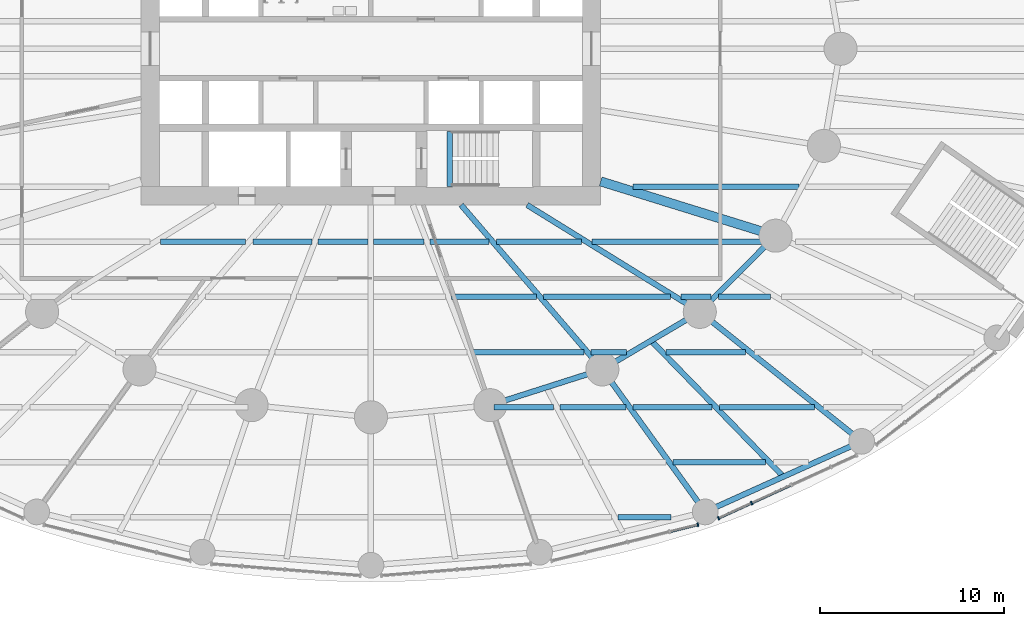
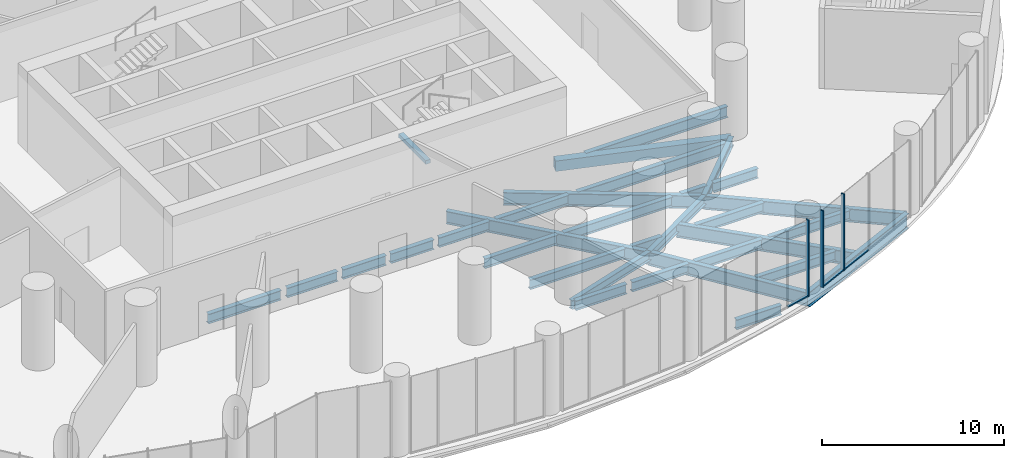
# One storey, part 5 of 21: 32 beams, 6 members, 2 elements without a shape of their own.
"""IFC4 building model written with IfcOpenShell, lengths in metres."""

from ifc_helpers import new_model, si_unit, direction, frame, origin, origin_2d, place, context, subcontext, project, spatial, rectangle, hollow_rectangle, i_section, extrude, material, material_profile, profile_set, type_object, element, aggregate, save


model = new_model("IFC4")

# Units and contexts
model_context = context("Model", 3, precision=1e-05, world=origin(), true_north=direction((0.0, 1.0)))
body_context = subcontext(model_context, "Body", "Model", "MODEL_VIEW")
ifc_project = project(units=[si_unit("LENGTHUNIT", "METRE"), si_unit("AREAUNIT", "SQUARE_METRE"), si_unit("VOLUMEUNIT", "CUBIC_METRE"), si_unit("PLANEANGLEUNIT", "RADIAN"), si_unit("MASSUNIT", "GRAM", prefix="KILO")], contexts=[model_context])

# Site, building, storey
site_placement = place(None, origin())
site = spatial("IfcSite", under=ifc_project, at=site_placement, CompositionType="ELEMENT")
building_placement = place(site_placement, origin())
building = spatial("IfcBuilding", under=site, at=building_placement, Name="Hankou Lantern Tower", CompositionType="ELEMENT")
storey_placement = place(building_placement, frame((0.0, 0.0, 13.800048828125)))
storey = spatial("IfcBuildingStorey", under=building, at=storey_placement, Name="L02", CompositionType="ELEMENT", Elevation=13.800048828125)

# Beams
ifc_material_1 = material(Name="Steel Q355B", Category="steel")
ifc_material_profile_1 = material_profile(ifc_material_1, i_section(OverallWidth=0.300048828125, OverallDepth=0.587890625, WebThickness=0.011962890625, FlangeThickness=0.02001953125, FilletRadius=0.01806640625, at=origin_2d()), Name="HM588x300x12x20")
ifc_profile_set_1 = profile_set([ifc_material_profile_1], Name="Steel Q355B")
beam_type_1 = type_object("IfcBeamType", Name="EB16 RING BEAM HM588x300x12x20", PredefinedType="SPANDREL", material=ifc_profile_set_1)
beam_1_placement = place(storey_placement, frame((6.494873046875, -19.391357421875, -0.5439453125), z_axis=(0.952690479428, 0.303942182671, 0.0), x_axis=(-0.303942182671, 0.952690479428, 0.0)))
element("IfcBeam", 1, at=beam_1_placement, inside=storey, type_object=beam_type_1, Name="Ring beam R20-R21 L02", PredefinedType="SPANDREL", context=body_context, shape_type="SweptSolid", body=[
    extrude(i_section(OverallWidth=0.300048828125, OverallDepth=0.587890625, WebThickness=0.011962890625, FlangeThickness=0.02001953125, FilletRadius=0.01806640625, at=origin_2d()), origin(), (0.0, 0.0, 1.0), 6.398681640625),
])
beam_2_placement = place(storey_placement, frame((12.5908203125, -17.446533203125, -0.5439453125), z_axis=(0.860881533543, 0.508805449268, 0.0), x_axis=(-0.508805449268, 0.860881533543, 0.0)))
element("IfcBeam", 2, at=beam_2_placement, inside=storey, type_object=beam_type_1, Name="Ring beam R21-R22 L02", PredefinedType="SPANDREL", context=body_context, shape_type="SweptSolid", body=[
    extrude(i_section(OverallWidth=0.300048828125, OverallDepth=0.587890625, WebThickness=0.011962890625, FlangeThickness=0.02001953125, FilletRadius=0.01806640625, at=origin_2d()), origin(), (0.0, 0.0, 1.0), 6.15771484375),
])
beam_3_placement = place(storey_placement, frame((17.891845703125, -14.3134765625, -0.5439453125), z_axis=(0.705727798394, 0.708483079949, 0.0), x_axis=(-0.708483079949, 0.705727798394, 0.0)))
element("IfcBeam", 3, at=beam_3_placement, inside=storey, type_object=beam_type_1, Name="Ring beam R22-R23 L02", PredefinedType="SPANDREL", context=body_context, shape_type="SweptSolid", body=[
    extrude(i_section(OverallWidth=0.300048828125, OverallDepth=0.587890625, WebThickness=0.011962890625, FlangeThickness=0.02001953125, FilletRadius=0.01806640625, at=origin_2d()), origin(), (0.0, 0.0, 1.0), 5.84814453125),
])
ifc_material_2 = material(Name="Concrete C40", Category="concrete")
ifc_material_profile_2 = material_profile(ifc_material_2, rectangle(XDim=0.300048828125, YDim=0.25, at=origin_2d()), Name="RC 300x250")
ifc_profile_set_2 = profile_set([ifc_material_profile_2], Name="Concrete C40")
beam_type_2 = type_object("IfcBeamType", Name="LB1 STAIR LANDING BEAM RC 300x250", PredefinedType="BEAM", material=ifc_profile_set_2)
beam_4_placement = place(storey_placement, frame((4.300048828125, -4.5, 2.574951171875), z_axis=(0.0, -1.0, 0.0), x_axis=(1.0, 0.0, 0.0)))
element("IfcBeam", 4, at=beam_4_placement, inside=storey, type_object=beam_type_2, Name="Stair STB landing beam L02", PredefinedType="BEAM", context=body_context, shape_type="SweptSolid", body=[
    extrude(rectangle(XDim=0.300048828125, YDim=0.25, at=origin_2d()), origin(), (0.0, 0.0, 1.0), 3.0),
])

# Curtain wall, member
ifc_material_3 = material(Name="Glass, dark grey tinted laminated", Category="glass")
curtain_wall_type = type_object("IfcCurtainWallType", Name="CWP PODIUM CURTAIN WALL", PredefinedType="USERDEFINED", material=ifc_material_3)
curtain_wall_1_placement = place(storey_placement, origin())
curtain_wall_1 = element("IfcCurtainWall", 5, at=curtain_wall_1_placement, inside=storey, type_object=curtain_wall_type, Name="CWP L02 PC16", ObjectType="PODIUM GLAZING", PredefinedType="USERDEFINED")
ifc_material_4 = material(Name="Aluminium, black anodised", Category="aluminium")
ifc_material_profile_3 = material_profile(ifc_material_4, rectangle(XDim=0.080078125, YDim=0.199951171875, at=origin_2d()), Name="MU2 80X200")
ifc_profile_set_3 = profile_set([ifc_material_profile_3], Name="Aluminium, black anodised")
member_type_1 = type_object("IfcMemberType", Name="MU2 PODIUM MULLION 80X200", PredefinedType="MULLION", material=ifc_profile_set_3)
member_1_placement = place(storey_placement, frame((17.785888671875, -25.892333984375, 0.0), z_axis=(0.0, 0.0, 1.0), x_axis=(0.970960955091, 0.239238006364, 0.0)))
member_1 = element("IfcMember", 6, at=member_1_placement, type_object=member_type_1, Name="CWP mullion 5", PredefinedType="MULLION", context=body_context, shape_type="SweptSolid", body=[
    extrude(rectangle(XDim=0.080078125, YDim=0.199951171875, at=origin_2d()), origin(), (0.0, 0.0, 1.0), 5.14990234375),
])

# Curtain wall, members
curtain_wall_2_placement = place(storey_placement, origin())
curtain_wall_2 = element("IfcCurtainWall", 7, at=curtain_wall_2_placement, inside=storey, type_object=curtain_wall_type, Name="CWP L02 PC17", ObjectType="PODIUM GLAZING", PredefinedType="USERDEFINED")
member_2_placement = place(storey_placement, frame((18.913818359375, -25.537841796875, 0.0), z_axis=(0.0, 0.0, 1.0), x_axis=(0.909669790944, 0.41533224224, 0.0)))
member_2 = element("IfcMember", 8, at=member_2_placement, type_object=member_type_1, Name="CWP mullion 1", PredefinedType="MULLION", context=body_context, shape_type="SweptSolid", body=[
    extrude(rectangle(XDim=0.080078125, YDim=0.199951171875, at=origin_2d()), origin(), (0.0, 0.0, 1.0), 5.14990234375),
])
member_3_placement = place(storey_placement, frame((20.711669921875, -24.717041015625, 0.0), z_axis=(0.0, 0.0, 1.0), x_axis=(0.909669790944, 0.41533224224, 0.0)))
member_3 = element("IfcMember", 9, at=member_3_placement, type_object=member_type_1, Name="CWP mullion 2", PredefinedType="MULLION", context=body_context, shape_type="SweptSolid", body=[
    extrude(rectangle(XDim=0.080078125, YDim=0.199951171875, at=origin_2d()), origin(), (0.0, 0.0, 1.0), 5.14990234375),
])

# Beams
ifc_material_5 = material(Name="Steel Q355B", Category="steel")
ifc_material_profile_4 = material_profile(ifc_material_5, i_section(OverallWidth=0.300048828125, OverallDepth=0.89990234375, WebThickness=0.01611328125, FlangeThickness=0.028076171875, FilletRadius=0.01806640625, at=origin_2d()), Name="HN900x300x16x28")
ifc_profile_set_4 = profile_set([ifc_material_profile_4], Name="Steel Q355B")
beam_type_3 = type_object("IfcBeamType", Name="PB13 PODIUM RADIAL BEAM HN900x300x16x28", PredefinedType="BEAM", material=ifc_profile_set_4)
beam_5_placement = place(storey_placement, frame((12.5908203125, -17.446533203125, -0.699951171875), z_axis=(0.585207097055, -0.810883871807, 0.0), x_axis=(0.810883871807, 0.585207097055, 0.0)))
element("IfcBeam", 10, at=beam_5_placement, inside=storey, type_object=beam_type_3, Name="Podium radial beam R21 L02", PredefinedType="BEAM", context=body_context, shape_type="SweptSolid", body=[
    extrude(i_section(OverallWidth=0.300048828125, OverallDepth=0.89990234375, WebThickness=0.01611328125, FlangeThickness=0.028076171875, FilletRadius=0.01806640625, at=origin_2d()), origin(), (0.0, 0.0, 1.0), 9.56103515625),
])
beam_6_placement = place(storey_placement, frame((17.891845703125, -14.3134765625, -0.699951171875), z_axis=(0.780875142676, -0.624687130931, 0.0), x_axis=(0.624687130931, 0.780875142676, 0.0)))
element("IfcBeam", 11, at=beam_6_placement, inside=storey, type_object=beam_type_3, Name="Podium radial beam R22 L02", PredefinedType="BEAM", context=body_context, shape_type="SweptSolid", body=[
    extrude(i_section(OverallWidth=0.300048828125, OverallDepth=0.89990234375, WebThickness=0.01611328125, FlangeThickness=0.028076171875, FilletRadius=0.01806640625, at=origin_2d()), origin(), (0.0, 0.0, 1.0), 11.28271484375),
])
ifc_material_6 = material(Name="Steel Q355B", Category="steel")
ifc_material_profile_5 = material_profile(ifc_material_6, i_section(OverallWidth=0.300048828125, OverallDepth=1.0, WebThickness=0.01904296875, FlangeThickness=0.035888671875, FilletRadius=0.01806640625, at=origin_2d()), Name="HN1000x300x19x36")
ifc_profile_set_5 = profile_set([ifc_material_profile_5], Name="Steel Q355B")
beam_type_4 = type_object("IfcBeamType", Name="PR22 PODIUM RING BEAM HN1000x300x19x36", PredefinedType="BEAM", material=ifc_profile_set_5)
beam_7_placement = place(storey_placement, frame((18.18603515625, -25.199462890625, -0.75), z_axis=(0.911695429723, 0.410866697874, 0.0), x_axis=(-0.410866697874, 0.911695429723, 0.0)))
element("IfcBeam", 12, at=beam_7_placement, inside=storey, type_object=beam_type_4, Name="Podium ring beam R21-R22 L02", PredefinedType="BEAM", context=body_context, shape_type="SweptSolid", body=[
    extrude(i_section(OverallWidth=0.300048828125, OverallDepth=1.0, WebThickness=0.01904296875, FlangeThickness=0.035888671875, FilletRadius=0.01806640625, at=origin_2d()), origin(), (0.0, 0.0, 1.0), 9.341064453125),
])
ifc_material_7 = material(Name="Steel Q355B", Category="steel")
ifc_material_profile_6 = material_profile(ifc_material_7, i_section(OverallWidth=0.300048828125, OverallDepth=0.89990234375, WebThickness=0.01611328125, FlangeThickness=0.028076171875, FilletRadius=0.01806640625, at=origin_2d()), Name="HN900x300x16x28")
ifc_profile_set_6 = profile_set([ifc_material_profile_6], Name="Steel Q355B")
beam_type_5 = type_object("IfcBeamType", Name="PS13 PODIUM SECONDARY BEAM HN900x300x16x28", PredefinedType="JOIST", material=ifc_profile_set_6)
beam_8_placement = place(storey_placement, frame((15.2412109375, -15.8798828125, -0.699951171875), z_axis=(0.697467529957, -0.716616385981, 0.0), x_axis=(0.716616385981, 0.697467529957, 0.0)))
element("IfcBeam", 13, at=beam_8_placement, inside=storey, type_object=beam_type_5, Name="Podium secondary beam bay R21 L02", PredefinedType="JOIST", context=body_context, shape_type="SweptSolid", body=[
    extrude(i_section(OverallWidth=0.300048828125, OverallDepth=0.89990234375, WebThickness=0.01611328125, FlangeThickness=0.028076171875, FilletRadius=0.01806640625, at=origin_2d()), origin(), (0.0, 0.0, 1.0), 10.3271484375),
])
ifc_material_8 = material(Name="Steel Q355B", Category="steel")
ifc_material_profile_7 = material_profile(ifc_material_8, i_section(OverallWidth=0.300048828125, OverallDepth=0.85009765625, WebThickness=0.01611328125, FlangeThickness=0.027099609375, FilletRadius=0.01806640625, at=origin_2d()), Name="HN850x300x16x27")
ifc_profile_set_7 = profile_set([ifc_material_profile_7], Name="Steel Q355B")
beam_type_6 = type_object("IfcBeamType", Name="RB12 RADIAL BEAM HN850x300x16x27", PredefinedType="BEAM", material=ifc_profile_set_7)
beam_9_placement = place(storey_placement, frame((4.907470703125, -8.5, -0.675048828125), z_axis=(0.651519061225, -0.758632264579, 0.0), x_axis=(0.758632264579, 0.651519061225, 0.0)))
element("IfcBeam", 14, at=beam_9_placement, inside=storey, type_object=beam_type_6, Name="Radial beam R21 L02", PredefinedType="BEAM", context=body_context, shape_type="SweptSolid", body=[
    extrude(i_section(OverallWidth=0.300048828125, OverallDepth=0.85009765625, WebThickness=0.01611328125, FlangeThickness=0.027099609375, FilletRadius=0.01806640625, at=origin_2d()), origin(), (0.0, 0.0, 1.0), 11.79296875),
])
beam_10_placement = place(storey_placement, frame((8.5, -8.5, -0.675048828125), z_axis=(0.850286343288, -0.526320372414, 0.0), x_axis=(0.526320372414, 0.850286343288, 0.0)))
element("IfcBeam", 15, at=beam_10_placement, inside=storey, type_object=beam_type_6, Name="Radial beam R22 L02", PredefinedType="BEAM", context=body_context, shape_type="SweptSolid", body=[
    extrude(i_section(OverallWidth=0.300048828125, OverallDepth=0.85009765625, WebThickness=0.01611328125, FlangeThickness=0.027099609375, FilletRadius=0.01806640625, at=origin_2d()), origin(), (0.0, 0.0, 1.0), 11.04541015625),
])
ifc_material_9 = material(Name="Steel Q355B", Category="steel")
ifc_material_profile_8 = material_profile(ifc_material_9, hollow_rectangle(XDim=0.5, YDim=0.699951171875, WallThickness=0.0400390625, at=origin_2d()), Name="BOX700x500x40")
ifc_profile_set_8 = profile_set([ifc_material_profile_8], Name="Steel Q355B")
beam_type_7 = type_object("IfcBeamType", Name="RB25 RADIAL BEAM BOX700x500x40", PredefinedType="BEAM", material=ifc_profile_set_8)
beam_11_placement = place(storey_placement, frame((12.5, -7.216796875, -0.60009765625), z_axis=(0.955087327755, -0.29632447817, 0.0), x_axis=(0.29632447817, 0.955087327755, 0.0)))
element("IfcBeam", 16, at=beam_11_placement, inside=storey, type_object=beam_type_7, Name="Radial beam R23 L02", PredefinedType="BEAM", context=body_context, shape_type="SweptSolid", body=[
    extrude(hollow_rectangle(XDim=0.5, YDim=0.699951171875, WallThickness=0.0400390625, at=origin_2d()), origin(), (0.0, 0.0, 1.0), 9.966552734375),
])
ifc_material_10 = material(Name="Steel Q355B", Category="steel")
ifc_material_profile_9 = material_profile(ifc_material_10, i_section(OverallWidth=0.300048828125, OverallDepth=0.75, WebThickness=0.012939453125, FlangeThickness=0.02392578125, FilletRadius=0.01806640625, at=origin_2d()), Name="HN750x300x13x24")
ifc_profile_set_9 = profile_set([ifc_material_profile_9], Name="Steel Q355B")
beam_type_8 = type_object("IfcBeamType", Name="SB10 SECONDARY BEAM HN750x300x13x24", PredefinedType="JOIST", material=ifc_profile_set_9)
beam_12_placement = place(storey_placement, frame((12.01611328125, -10.5, -0.625), z_axis=(1.0, 0.0, 0.0), x_axis=(0.0, 1.0, 0.0)))
element("IfcBeam", 17, at=beam_12_placement, inside=storey, type_object=beam_type_8, Name="Floor joist J067 L02", PredefinedType="JOIST", context=body_context, shape_type="SweptSolid", body=[
    extrude(i_section(OverallWidth=0.300048828125, OverallDepth=0.75, WebThickness=0.012939453125, FlangeThickness=0.02392578125, FilletRadius=0.01806640625, at=origin_2d()), origin(), (0.0, 0.0, 1.0), 9.462646484375),
])
beam_13_placement = place(storey_placement, frame((14.25634765625, -7.5, -0.625), z_axis=(1.0, 0.0, 0.0), x_axis=(0.0, 1.0, 0.0)))
element("IfcBeam", 18, at=beam_13_placement, inside=storey, type_object=beam_type_8, Name="Floor joist J072 L02", PredefinedType="JOIST", context=body_context, shape_type="SweptSolid", body=[
    extrude(i_section(OverallWidth=0.300048828125, OverallDepth=0.75, WebThickness=0.012939453125, FlangeThickness=0.02392578125, FilletRadius=0.01806640625, at=origin_2d()), origin(), (0.0, 0.0, 1.0), 9.0283203125),
])
ifc_material_11 = material(Name="Steel Q355B", Category="steel")
ifc_material_profile_10 = material_profile(ifc_material_11, i_section(OverallWidth=0.300048828125, OverallDepth=0.64990234375, WebThickness=0.010986328125, FlangeThickness=0.01708984375, FilletRadius=0.01806640625, at=origin_2d()), Name="HN650x300x11x17")
ifc_profile_set_10 = profile_set([ifc_material_profile_10], Name="Steel Q355B")
beam_type_9 = type_object("IfcBeamType", Name="SB8 SECONDARY BEAM HN650x300x11x17", PredefinedType="JOIST", material=ifc_profile_set_10)
beam_14_placement = place(storey_placement, frame((13.431884765625, -25.5, -0.574951171875), z_axis=(1.0, 0.0, 0.0), x_axis=(0.0, 1.0, 0.0)))
element("IfcBeam", 19, at=beam_14_placement, inside=storey, type_object=beam_type_9, Name="Floor joist J008 L02", PredefinedType="JOIST", context=body_context, shape_type="SweptSolid", body=[
    extrude(i_section(OverallWidth=0.300048828125, OverallDepth=0.64990234375, WebThickness=0.010986328125, FlangeThickness=0.01708984375, FilletRadius=0.01806640625, at=origin_2d()), origin(), (0.0, 0.0, 1.0), 2.883544921875),
])
beam_15_placement = place(storey_placement, frame((16.423095703125, -22.5, -0.574951171875), z_axis=(1.0, 0.0, 0.0), x_axis=(0.0, 1.0, 0.0)))
element("IfcBeam", 20, at=beam_15_placement, inside=storey, type_object=beam_type_9, Name="Floor joist J019 L02", PredefinedType="JOIST", context=body_context, shape_type="SweptSolid", body=[
    extrude(i_section(OverallWidth=0.300048828125, OverallDepth=0.64990234375, WebThickness=0.010986328125, FlangeThickness=0.01708984375, FilletRadius=0.01806640625, at=origin_2d()), origin(), (0.0, 0.0, 1.0), 5.052001953125),
])
beam_16_placement = place(storey_placement, frame((6.689453125, -19.5, -0.574951171875), z_axis=(1.0, 0.0, 0.0), x_axis=(0.0, 1.0, 0.0)))
element("IfcBeam", 21, at=beam_16_placement, inside=storey, type_object=beam_type_9, Name="Floor joist J028 L02", PredefinedType="JOIST", context=body_context, shape_type="SweptSolid", body=[
    extrude(i_section(OverallWidth=0.300048828125, OverallDepth=0.64990234375, WebThickness=0.010986328125, FlangeThickness=0.01708984375, FilletRadius=0.01806640625, at=origin_2d()), origin(), (0.0, 0.0, 1.0), 3.251953125),
])
beam_17_placement = place(storey_placement, frame((10.2802734375, -19.5, -0.574951171875), z_axis=(1.0, 0.0, 0.0), x_axis=(0.0, 1.0, 0.0)))
element("IfcBeam", 22, at=beam_17_placement, inside=storey, type_object=beam_type_9, Name="Floor joist J029 L02", PredefinedType="JOIST", context=body_context, shape_type="SweptSolid", body=[
    extrude(i_section(OverallWidth=0.300048828125, OverallDepth=0.64990234375, WebThickness=0.010986328125, FlangeThickness=0.01708984375, FilletRadius=0.01806640625, at=origin_2d()), origin(), (0.0, 0.0, 1.0), 3.607666015625),
])
beam_18_placement = place(storey_placement, frame((14.2578125, -19.5, -0.574951171875), z_axis=(1.0, 0.0, 0.0), x_axis=(0.0, 1.0, 0.0)))
element("IfcBeam", 23, at=beam_18_placement, inside=storey, type_object=beam_type_9, Name="Floor joist J030 L02", PredefinedType="JOIST", context=body_context, shape_type="SweptSolid", body=[
    extrude(i_section(OverallWidth=0.300048828125, OverallDepth=0.64990234375, WebThickness=0.010986328125, FlangeThickness=0.01708984375, FilletRadius=0.01806640625, at=origin_2d()), origin(), (0.0, 0.0, 1.0), 4.29736328125),
])
beam_19_placement = place(storey_placement, frame((18.973876953125, -19.5, -0.574951171875), z_axis=(1.0, 0.0, 0.0), x_axis=(0.0, 1.0, 0.0)))
element("IfcBeam", 24, at=beam_19_placement, inside=storey, type_object=beam_type_9, Name="Floor joist J031 L02", PredefinedType="JOIST", context=body_context, shape_type="SweptSolid", body=[
    extrude(i_section(OverallWidth=0.300048828125, OverallDepth=0.64990234375, WebThickness=0.010986328125, FlangeThickness=0.01708984375, FilletRadius=0.01806640625, at=origin_2d()), origin(), (0.0, 0.0, 1.0), 5.160888671875),
])
beam_20_placement = place(storey_placement, frame((5.5361328125, -16.5, -0.574951171875), z_axis=(1.0, 0.0, 0.0), x_axis=(0.0, 1.0, 0.0)))
element("IfcBeam", 25, at=beam_20_placement, inside=storey, type_object=beam_type_9, Name="Floor joist J040 L02", PredefinedType="JOIST", context=body_context, shape_type="SweptSolid", body=[
    extrude(i_section(OverallWidth=0.300048828125, OverallDepth=0.64990234375, WebThickness=0.010986328125, FlangeThickness=0.01708984375, FilletRadius=0.01806640625, at=origin_2d()), origin(), (0.0, 0.0, 1.0), 6.044189453125),
])
beam_21_placement = place(storey_placement, frame((11.975830078125, -16.5, -0.574951171875), z_axis=(1.0, 0.0, 0.0), x_axis=(0.0, 1.0, 0.0)))
element("IfcBeam", 26, at=beam_21_placement, inside=storey, type_object=beam_type_9, Name="Floor joist J041 L02", PredefinedType="JOIST", context=body_context, shape_type="SweptSolid", body=[
    extrude(i_section(OverallWidth=0.300048828125, OverallDepth=0.64990234375, WebThickness=0.010986328125, FlangeThickness=0.01708984375, FilletRadius=0.01806640625, at=origin_2d()), origin(), (0.0, 0.0, 1.0), 1.921630859375),
])
beam_22_placement = place(storey_placement, frame((16.05419921875, -16.5, -0.574951171875), z_axis=(1.0, 0.0, 0.0), x_axis=(0.0, 1.0, 0.0)))
element("IfcBeam", 27, at=beam_22_placement, inside=storey, type_object=beam_type_9, Name="Floor joist J042 L02", PredefinedType="JOIST", context=body_context, shape_type="SweptSolid", body=[
    extrude(i_section(OverallWidth=0.300048828125, OverallDepth=0.64990234375, WebThickness=0.010986328125, FlangeThickness=0.01708984375, FilletRadius=0.01806640625, at=origin_2d()), origin(), (0.0, 0.0, 1.0), 4.33056640625),
])
beam_23_placement = place(storey_placement, frame((4.37451171875, -13.5, -0.574951171875), z_axis=(1.0, 0.0, 0.0), x_axis=(0.0, 1.0, 0.0)))
element("IfcBeam", 28, at=beam_23_placement, inside=storey, type_object=beam_type_9, Name="Floor joist J053 L02", PredefinedType="JOIST", context=body_context, shape_type="SweptSolid", body=[
    extrude(i_section(OverallWidth=0.300048828125, OverallDepth=0.64990234375, WebThickness=0.010986328125, FlangeThickness=0.01708984375, FilletRadius=0.01806640625, at=origin_2d()), origin(), (0.0, 0.0, 1.0), 4.62939453125),
])
beam_24_placement = place(storey_placement, frame((9.3994140625, -13.5, -0.574951171875), z_axis=(1.0, 0.0, 0.0), x_axis=(0.0, 1.0, 0.0)))
element("IfcBeam", 29, at=beam_24_placement, inside=storey, type_object=beam_type_9, Name="Floor joist J054 L02", PredefinedType="JOIST", context=body_context, shape_type="SweptSolid", body=[
    extrude(i_section(OverallWidth=0.300048828125, OverallDepth=0.64990234375, WebThickness=0.010986328125, FlangeThickness=0.01708984375, FilletRadius=0.01806640625, at=origin_2d()), origin(), (0.0, 0.0, 1.0), 6.893310546875),
])
beam_25_placement = place(storey_placement, frame((16.86279296875, -13.5, -0.574951171875), z_axis=(1.0, 0.0, 0.0), x_axis=(0.0, 1.0, 0.0)))
element("IfcBeam", 30, at=beam_25_placement, inside=storey, type_object=beam_type_9, Name="Floor joist J055 L02", PredefinedType="JOIST", context=body_context, shape_type="SweptSolid", body=[
    extrude(i_section(OverallWidth=0.300048828125, OverallDepth=0.64990234375, WebThickness=0.010986328125, FlangeThickness=0.01708984375, FilletRadius=0.01806640625, at=origin_2d()), origin(), (0.0, 0.0, 1.0), 1.62744140625),
])
beam_26_placement = place(storey_placement, frame((18.913818359375, -13.5, -0.574951171875), z_axis=(1.0, 0.0, 0.0), x_axis=(0.0, 1.0, 0.0)))
element("IfcBeam", 31, at=beam_26_placement, inside=storey, type_object=beam_type_9, Name="Floor joist J056 L02", PredefinedType="JOIST", context=body_context, shape_type="SweptSolid", body=[
    extrude(i_section(OverallWidth=0.300048828125, OverallDepth=0.64990234375, WebThickness=0.010986328125, FlangeThickness=0.01708984375, FilletRadius=0.01806640625, at=origin_2d()), origin(), (0.0, 0.0, 1.0), 2.832275390625),
])
beam_27_placement = place(storey_placement, frame((-11.446044921875, -10.5, -0.574951171875), z_axis=(1.0, 0.0, 0.0), x_axis=(0.0, 1.0, 0.0)))
element("IfcBeam", 32, at=beam_27_placement, inside=storey, type_object=beam_type_9, Name="Floor joist J061 L02", PredefinedType="JOIST", context=body_context, shape_type="SweptSolid", body=[
    extrude(i_section(OverallWidth=0.300048828125, OverallDepth=0.64990234375, WebThickness=0.010986328125, FlangeThickness=0.01708984375, FilletRadius=0.01806640625, at=origin_2d()), origin(), (0.0, 0.0, 1.0), 4.623291015625),
])
beam_28_placement = place(storey_placement, frame((-6.427490234375, -10.5, -0.574951171875), z_axis=(1.0, 0.0, 0.0), x_axis=(0.0, 1.0, 0.0)))
element("IfcBeam", 33, at=beam_28_placement, inside=storey, type_object=beam_type_9, Name="Floor joist J062 L02", PredefinedType="JOIST", context=body_context, shape_type="SweptSolid", body=[
    extrude(i_section(OverallWidth=0.300048828125, OverallDepth=0.64990234375, WebThickness=0.010986328125, FlangeThickness=0.01708984375, FilletRadius=0.01806640625, at=origin_2d()), origin(), (0.0, 0.0, 1.0), 3.214599609375),
])
for number, where, z_axis, x_axis, name in (
    (34, (-2.89111328125, -10.5, -0.574951171875), (1.0, 0.0, 0.0), (0.0, 1.0, 0.0), "Floor joist J063 L02"),
    (35, (0.14990234375, -10.5, -0.574951171875), (1.0, 0.0, 0.0), (0.0, 1.0, 0.0), "Floor joist J064 L02"),
):
    element("IfcBeam", number, at=place(storey_placement, frame(where, z_axis=z_axis, x_axis=x_axis)), inside=storey, type_object=beam_type_9, Name=name, PredefinedType="JOIST", context=body_context, shape_type="SweptSolid", body=[
        extrude(i_section(OverallWidth=0.300048828125, OverallDepth=0.64990234375, WebThickness=0.010986328125, FlangeThickness=0.01708984375, FilletRadius=0.01806640625, at=origin_2d()), origin(), (0.0, 0.0, 1.0), 2.7412109375),
    ])
beam_29_placement = place(storey_placement, frame((3.212890625, -10.5, -0.574951171875), z_axis=(1.0, 0.0, 0.0), x_axis=(0.0, 1.0, 0.0)))
element("IfcBeam", 36, at=beam_29_placement, inside=storey, type_object=beam_type_9, Name="Floor joist J065 L02", PredefinedType="JOIST", context=body_context, shape_type="SweptSolid", body=[
    extrude(i_section(OverallWidth=0.300048828125, OverallDepth=0.64990234375, WebThickness=0.010986328125, FlangeThickness=0.01708984375, FilletRadius=0.01806640625, at=origin_2d()), origin(), (0.0, 0.0, 1.0), 3.214599609375),
])
beam_30_placement = place(storey_placement, frame((6.82275390625, -10.5, -0.574951171875), z_axis=(1.0, 0.0, 0.0), x_axis=(0.0, 1.0, 0.0)))
element("IfcBeam", 37, at=beam_30_placement, inside=storey, type_object=beam_type_9, Name="Floor joist J066 L02", PredefinedType="JOIST", context=body_context, shape_type="SweptSolid", body=[
    extrude(i_section(OverallWidth=0.300048828125, OverallDepth=0.64990234375, WebThickness=0.010986328125, FlangeThickness=0.01708984375, FilletRadius=0.01806640625, at=origin_2d()), origin(), (0.0, 0.0, 1.0), 4.623291015625),
])

# Member
ifc_material_12 = material(Name="Aluminium, black anodised", Category="aluminium")
ifc_material_profile_11 = material_profile(ifc_material_12, rectangle(XDim=0.14990234375, YDim=0.080078125, at=origin_2d()), Name="TR2 150X80")
ifc_profile_set_11 = profile_set([ifc_material_profile_11], Name="Aluminium, black anodised")
member_type_2 = type_object("IfcMemberType", Name="TR2 PODIUM TRANSOM 150X80", PredefinedType="USERDEFINED", material=ifc_profile_set_11)
member_4_placement = place(storey_placement, frame((16.293212890625, -26.260009765625, 0.0400390625), z_axis=(0.970971197991, 0.239196431142, 0.0), x_axis=(-0.239196431142, 0.970971197991, 0.0)))
member_4 = element("IfcMember", 38, at=member_4_placement, type_object=member_type_2, Name="CWP transom 4", ObjectType="TRANSOM", PredefinedType="USERDEFINED", context=body_context, shape_type="SweptSolid", body=[
    extrude(rectangle(XDim=0.14990234375, YDim=0.080078125, at=origin_2d()), origin(), (0.0, 0.0, 1.0), 1.497314453125),
])

aggregate(curtain_wall_1, [member_1, member_4])

member_5_placement = place(storey_placement, frame((18.9501953125, -25.521240234375, 0.0400390625), z_axis=(0.909677430468, 0.41531550958, 0.0), x_axis=(-0.41531550958, 0.909677430468, 0.0)))
member_5 = element("IfcMember", 39, at=member_5_placement, type_object=member_type_2, Name="CWP transom 1", ObjectType="TRANSOM", PredefinedType="USERDEFINED", context=body_context, shape_type="SweptSolid", body=[
    extrude(rectangle(XDim=0.14990234375, YDim=0.080078125, at=origin_2d()), origin(), (0.0, 0.0, 1.0), 1.896484375),
])

member_6_placement = place(storey_placement, frame((20.748046875, -24.700439453125, 0.0400390625), z_axis=(0.909669664149, 0.415332519949, 0.0), x_axis=(-0.415332519949, 0.909669664149, 0.0)))
member_6 = element("IfcMember", 40, at=member_6_placement, type_object=member_type_2, Name="CWP transom 2", ObjectType="TRANSOM", PredefinedType="USERDEFINED", context=body_context, shape_type="SweptSolid", body=[
    extrude(rectangle(XDim=0.14990234375, YDim=0.080078125, at=origin_2d()), origin(), (0.0, 0.0, 1.0), 2.296142578125),
])

aggregate(curtain_wall_2, [member_2, member_3, member_5, member_6])

save(model, "model.ifc")
